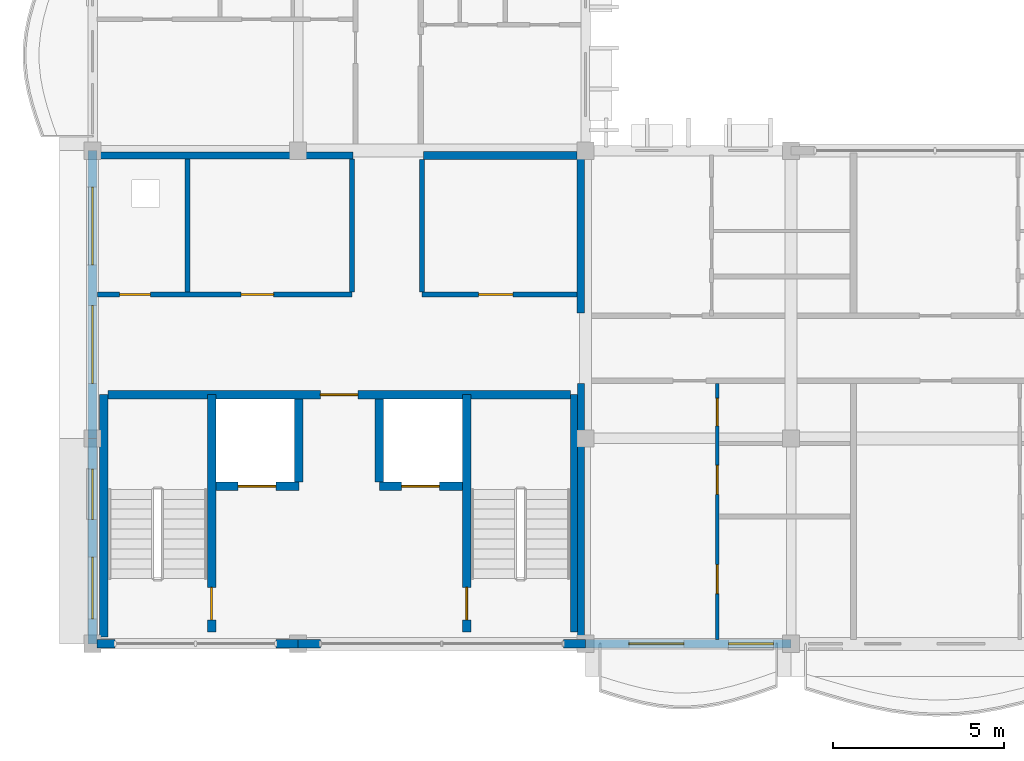
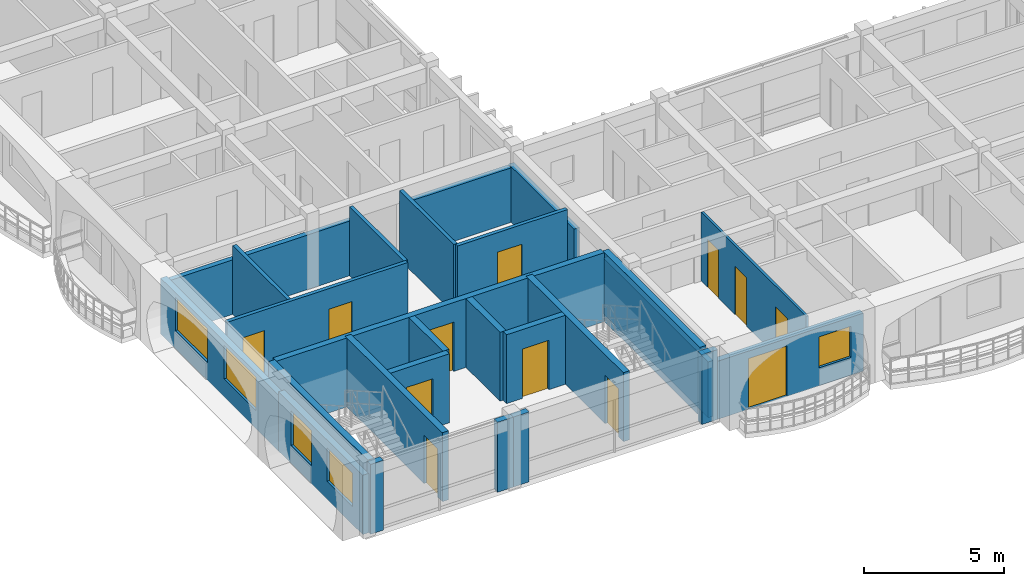
# One storey, part 20 of 54: 26 walls, 12 doors, 5 windows, 17 openings.
"""IFC4 building model written with IfcOpenShell, lengths in metres."""

from ifc_helpers import new_model, si_unit, direction, frame, frame_2d, origin, place, context, subcontext, project, spatial, rectangle, extrude, material, layer, layer_set, type_object, element, fill, save


model = new_model("IFC4")

# Units and contexts
model_context = context("Model", 3, precision=1e-05, world=origin(), true_north=direction((0.0, 1.0)))
body_context = subcontext(model_context, "Body", "Model", "MODEL_VIEW")
ifc_project = project(units=[si_unit("LENGTHUNIT", "METRE"), si_unit("AREAUNIT", "SQUARE_METRE"), si_unit("VOLUMEUNIT", "CUBIC_METRE"), si_unit("PLANEANGLEUNIT", "RADIAN"), si_unit("MASSUNIT", "GRAM", prefix="KILO"), si_unit("THERMODYNAMICTEMPERATUREUNIT", "KELVIN")], contexts=[model_context])

# Site, building, storey
site_placement = place(None, origin())
site = spatial("IfcSite", under=ifc_project, at=site_placement, CompositionType="ELEMENT")
building_placement = place(site_placement, origin())
building = spatial("IfcBuilding", under=site, at=building_placement, Name="Thalorik Housing Commons", CompositionType="ELEMENT")
storey_placement = place(building_placement, frame((0.0, 0.0, 31.199951171875)))
storey = spatial("IfcBuildingStorey", under=building, at=storey_placement, Name="L09", CompositionType="ELEMENT", Elevation=31.199951171875)

# Wall, opening, door
ifc_material_1 = material(Name="Concrete C40/50", Category="concrete")
ifc_layer_1 = layer(ifc_material_1, 0.25, Name="Concrete C40/50", Category="concrete")
ifc_layer_set_1 = layer_set([ifc_layer_1], Name="Concrete C40/50")
wall_type_1 = type_object("IfcWallType", Name="ARC-WAL-CORE-250", PredefinedType="SHEAR", material=ifc_layer_set_1)
wall_1_placement = place(storey_placement, frame((11.875, 8.75, 0.0), z_axis=(0.0, 0.0, 1.0), x_axis=(0.0, 1.0, 0.0)))
wall_1 = element("IfcWall", 1, at=wall_1_placement, inside=storey, type_object=wall_type_1, Name="L09 Core C Stair 1 Shear Wall", PredefinedType="SHEAR", context=body_context, shape_type="SweptSolid", body=[
    extrude(rectangle(XDim=6.925048828125, YDim=0.25, at=frame_2d((3.46240234375, 0.0))), origin(), (0.0, 0.0, 1.0), 3.0),
])
opening_1_placement = place(wall_1_placement, frame((0.35009765625, 0.0, 0.0)))
opening_1 = element("IfcOpeningElement", 2, at=opening_1_placement, cuts=wall_1, Name="Opening ID-0329", PredefinedType="OPENING", context=body_context, shape_type="SweptSolid", body=[
    extrude(rectangle(XDim=0.949951171875, YDim=2.10009765625, at=frame_2d((0.47509765625, 1.050048828125))), frame((0.0, 0.135009765625, 0.0), z_axis=(0.0, -1.0, 0.0), x_axis=(1.0, 0.0, 0.0)), (0.0, 0.0, 1.0), 0.27001953125),
])
ifc_material_2 = material(Name="Steel S355", Category="steel")
door_type_1 = type_object("IfcDoorType", Name="ARC-DR-FD60-950", OperationType="NOTDEFINED", PredefinedType="DOOR", material=ifc_material_2)
door_1_placement = place(opening_1_placement, origin())
door_1 = element("IfcDoor", 3, at=door_1_placement, inside=storey, type_object=door_type_1, Name="L09 Stair ST-C1 Fire Door", OperationType="SINGLE_SWING_RIGHT", OverallHeight=2.10009765625, OverallWidth=0.949951171875, PredefinedType="DOOR", context=body_context, shape_type="SweptSolid", body=[
    extrude(rectangle(XDim=0.949951171875, YDim=2.10009765625, at=frame_2d((0.47509765625, 1.050048828125))), frame((0.0, 0.02490234375, 0.0), z_axis=(0.0, -1.0, 0.0), x_axis=(1.0, 0.0, 0.0)), (0.0, 0.0, 1.0), 0.050048828125),
])
fill(opening_1, door_1)

# Walls
wall_2_placement = place(storey_placement, frame((8.72509765625, 8.60009765625, 0.0), z_axis=(0.0, 0.0, 1.0), x_axis=(0.0, 1.0, 0.0)))
element("IfcWall", 4, at=wall_2_placement, inside=storey, type_object=wall_type_1, Name="L09 Core C Stair 1 Outer Shear Wall", PredefinedType="SHEAR", context=body_context, shape_type="SweptSolid", body=[
    extrude(rectangle(XDim=7.074951171875, YDim=0.25, at=frame_2d((3.53759765625, 0.0))), origin(), (0.0, 0.0, 1.0), 3.0),
])
wall_3_placement = place(storey_placement, frame((22.47509765625, 8.75, 0.0), z_axis=(0.0, 0.0, 1.0), x_axis=(0.0, 1.0, 0.0)))
element("IfcWall", 5, at=wall_3_placement, inside=storey, type_object=wall_type_1, Name="L09 Core C Stair 2 Outer Shear Wall", PredefinedType="SHEAR", context=body_context, shape_type="SweptSolid", body=[
    extrude(rectangle(XDim=6.925048828125, YDim=0.25, at=frame_2d((3.46240234375, 0.0))), origin(), (0.0, 0.0, 1.0), 3.0),
])

# Wall, opening, door
wall_4_placement = place(storey_placement, frame((19.324951171875, 8.75, 0.0), z_axis=(0.0, 0.0, 1.0), x_axis=(0.0, 1.0, 0.0)))
wall_4 = element("IfcWall", 6, at=wall_4_placement, inside=storey, type_object=wall_type_1, Name="L09 Core C Stair 2 Shear Wall", PredefinedType="SHEAR", context=body_context, shape_type="SweptSolid", body=[
    extrude(rectangle(XDim=6.925048828125, YDim=0.25, at=frame_2d((3.46240234375, 0.0))), origin(), (0.0, 0.0, 1.0), 3.0),
])
opening_2_placement = place(wall_4_placement, frame((0.35009765625, 0.0, 0.0)))
opening_2 = element("IfcOpeningElement", 7, at=opening_2_placement, cuts=wall_4, Name="Opening ID-0330", PredefinedType="OPENING", context=body_context, shape_type="SweptSolid", body=[
    extrude(rectangle(XDim=0.949951171875, YDim=2.10009765625, at=frame_2d((0.47509765625, 1.050048828125))), frame((0.0, 0.135009765625, 0.0), z_axis=(0.0, -1.0, 0.0), x_axis=(1.0, 0.0, 0.0)), (0.0, 0.0, 1.0), 0.27001953125),
])
door_2_placement = place(opening_2_placement, origin())
door_2 = element("IfcDoor", 8, at=door_2_placement, inside=storey, type_object=door_type_1, Name="L09 Stair ST-C2 Fire Door", OperationType="SINGLE_SWING_LEFT", OverallHeight=2.10009765625, OverallWidth=0.949951171875, PredefinedType="DOOR", context=body_context, shape_type="SweptSolid", body=[
    extrude(rectangle(XDim=0.949951171875, YDim=2.10009765625, at=frame_2d((0.47509765625, 1.050048828125))), frame((0.0, 0.02490234375, 0.0), z_axis=(0.0, -1.0, 0.0), x_axis=(1.0, 0.0, 0.0)), (0.0, 0.0, 1.0), 0.050048828125),
])
fill(opening_2, door_2)

wall_5_placement = place(storey_placement, frame((12.0, 13.0, 0.0), z_axis=(0.0, 0.0, 1.0), x_axis=(1.0, 0.0, 0.0)))
wall_5 = element("IfcWall", 9, at=wall_5_placement, inside=storey, type_object=wall_type_1, Name="L09 Lift LF-C1 Front Shaft Wall", PredefinedType="SHEAR", context=body_context, shape_type="SweptSolid", body=[
    extrude(rectangle(XDim=2.425048828125, YDim=0.25, at=frame_2d((1.21240234375, 0.0))), origin(), (0.0, 0.0, 1.0), 3.0),
])
opening_3_placement = place(wall_5_placement, frame((0.64990234375, 0.0, 0.0)))
opening_3 = element("IfcOpeningElement", 10, at=opening_3_placement, cuts=wall_5, Name="Opening LD-LF-C1-L09", PredefinedType="OPENING", context=body_context, shape_type="SweptSolid", body=[
    extrude(rectangle(XDim=1.10009765625, YDim=2.14990234375, at=frame_2d((0.550048828125, 1.074951171875))), frame((0.0, 0.135009765625, 0.0), z_axis=(0.0, -1.0, 0.0), x_axis=(1.0, 0.0, 0.0)), (0.0, 0.0, 1.0), 0.27001953125),
])
door_type_2 = type_object("IfcDoorType", Name="ARC-DR-LIFT-1100", OperationType="NOTDEFINED", PredefinedType="DOOR", material=ifc_material_2)
door_3_placement = place(opening_3_placement, origin())
door_3 = element("IfcDoor", 11, at=door_3_placement, inside=storey, type_object=door_type_2, Name="L09 Lift LF-C1 Landing Door", OperationType="SLIDING_TO_LEFT", OverallHeight=2.14990234375, OverallWidth=1.10009765625, PredefinedType="DOOR", context=body_context, shape_type="SweptSolid", body=[
    extrude(rectangle(XDim=1.10009765625, YDim=2.14990234375, at=frame_2d((0.550048828125, 1.074951171875))), frame((0.0, 0.02490234375, 0.0), z_axis=(0.0, -1.0, 0.0), x_axis=(1.0, 0.0, 0.0)), (0.0, 0.0, 1.0), 0.050048828125),
])
fill(opening_3, door_3)

wall_6_placement = place(storey_placement, frame((16.77490234375, 13.0, 0.0), z_axis=(0.0, 0.0, 1.0), x_axis=(1.0, 0.0, 0.0)))
wall_6 = element("IfcWall", 12, at=wall_6_placement, inside=storey, type_object=wall_type_1, Name="L09 Lift LP-C2 Front Shaft Wall", PredefinedType="SHEAR", context=body_context, shape_type="SweptSolid", body=[
    extrude(rectangle(XDim=2.425048828125, YDim=0.25, at=frame_2d((1.21240234375, 0.0))), origin(), (0.0, 0.0, 1.0), 3.0),
])
opening_4_placement = place(wall_6_placement, frame((0.64990234375, 0.0, 0.0)))
opening_4 = element("IfcOpeningElement", 13, at=opening_4_placement, cuts=wall_6, Name="Opening LD-LP-C2-L09", PredefinedType="OPENING", context=body_context, shape_type="SweptSolid", body=[
    extrude(rectangle(XDim=1.10009765625, YDim=2.14990234375, at=frame_2d((0.550048828125, 1.074951171875))), frame((0.0, 0.135009765625, 0.0), z_axis=(0.0, -1.0, 0.0), x_axis=(1.0, 0.0, 0.0)), (0.0, 0.0, 1.0), 0.27001953125),
])
door_4_placement = place(opening_4_placement, origin())
door_4 = element("IfcDoor", 14, at=door_4_placement, inside=storey, type_object=door_type_2, Name="L09 Lift LP-C2 Landing Door", OperationType="SLIDING_TO_LEFT", OverallHeight=2.14990234375, OverallWidth=1.10009765625, PredefinedType="DOOR", context=body_context, shape_type="SweptSolid", body=[
    extrude(rectangle(XDim=1.10009765625, YDim=2.14990234375, at=frame_2d((0.550048828125, 1.074951171875))), frame((0.0, 0.02490234375, 0.0), z_axis=(0.0, -1.0, 0.0), x_axis=(1.0, 0.0, 0.0)), (0.0, 0.0, 1.0), 0.050048828125),
])
fill(opening_4, door_4)

# Walls
for number, where, z_axis, x_axis, name in (
    (15, (14.425048828125, 13.125, 0.0), (0.0, 0.0, 1.0), (0.0, 1.0, 0.0), "L09 Lift 1 Cheek Wall"),
    (16, (16.77490234375, 13.125, 0.0), (0.0, 0.0, 1.0), (0.0, 1.0, 0.0), "L09 Lift 2 Cheek Wall"),
):
    element("IfcWall", number, at=place(storey_placement, frame(where, z_axis=z_axis, x_axis=x_axis)), inside=storey, type_object=wall_type_1, Name=name, PredefinedType="SHEAR", context=body_context, shape_type="SweptSolid", body=[
        extrude(rectangle(XDim=2.425048828125, YDim=0.25, at=frame_2d((1.21240234375, 0.0))), origin(), (0.0, 0.0, 1.0), 3.0),
    ])

# Wall, opening, door
wall_7_placement = place(storey_placement, frame((8.85009765625, 15.675048828125, 0.0), z_axis=(0.0, 0.0, 1.0), x_axis=(1.0, 0.0, 0.0)))
wall_7 = element("IfcWall", 17, at=wall_7_placement, inside=storey, type_object=wall_type_1, Name="L09 Core C Spine Shear Wall", PredefinedType="SHEAR", context=body_context, shape_type="SweptSolid", body=[
    extrude(rectangle(XDim=13.5, YDim=0.25, at=frame_2d((6.75, 0.0))), origin(), (0.0, 0.0, 1.0), 3.0),
])
opening_5_placement = place(wall_7_placement, frame((6.199951171875, 0.0, 0.0)))
opening_5 = element("IfcOpeningElement", 18, at=opening_5_placement, cuts=wall_7, Name="Opening ID-0333", PredefinedType="OPENING", context=body_context, shape_type="SweptSolid", body=[
    extrude(rectangle(XDim=1.10009765625, YDim=2.14990234375, at=frame_2d((0.550048828125, 1.074951171875))), frame((0.0, 0.135009765625, 0.0), z_axis=(0.0, -1.0, 0.0), x_axis=(1.0, 0.0, 0.0)), (0.0, 0.0, 1.0), 0.27001953125),
])
door_type_3 = type_object("IfcDoorType", Name="ARC-DR-FD60-1100", OperationType="NOTDEFINED", PredefinedType="DOOR", material=ifc_material_2)
door_5_placement = place(opening_5_placement, origin())
door_5 = element("IfcDoor", 19, at=door_5_placement, inside=storey, type_object=door_type_3, Name="L09 Core C Lobby Fire Door", OperationType="SINGLE_SWING_RIGHT", OverallHeight=2.14990234375, OverallWidth=1.10009765625, PredefinedType="DOOR", context=body_context, shape_type="SweptSolid", body=[
    extrude(rectangle(XDim=1.10009765625, YDim=2.14990234375, at=frame_2d((0.550048828125, 1.074951171875))), frame((0.0, 0.02490234375, 0.0), z_axis=(0.0, -1.0, 0.0), x_axis=(1.0, 0.0, 0.0)), (0.0, 0.0, 1.0), 0.050048828125),
])
fill(opening_5, door_5)

# Wall, openings, windows
ifc_material_3 = material(Name="White precast concrete C40/50", Category="concrete")
ifc_layer_2 = layer(ifc_material_3, 0.2548828125, Name="White precast concrete C40/50", Category="concrete")
ifc_layer_set_2 = layer_set([ifc_layer_2], Name="White precast concrete C40/50")
wall_type_2 = type_object("IfcWallType", Name="ARC-WAL-EXT-255", PredefinedType="STANDARD", material=ifc_layer_set_2)
wall_8_placement = place(storey_placement, frame((8.39990234375, 22.800048828125, 0.0), z_axis=(0.0, 0.0, 1.0), x_axis=(0.0, -1.0, 0.0)))
wall_8 = element("IfcWall", 20, at=wall_8_placement, inside=storey, type_object=wall_type_2, Name="L09 Exterior Wall WAL-EXT-L09-C-1073", PredefinedType="STANDARD", context=body_context, shape_type="SweptSolid", body=[
    extrude(rectangle(XDim=8.400146484375, YDim=0.2548828125, at=frame_2d((4.2001953125, 0.0))), origin(), (0.0, 0.0, 1.0), 2.425048828125),
])
opening_6_placement = place(wall_8_placement, frame((1.054931640625, 0.0, 0.780029296875)))
opening_6 = element("IfcOpeningElement", 21, at=opening_6_placement, cuts=wall_8, Name="Opening W-67", PredefinedType="OPENING", context=body_context, shape_type="SweptSolid", body=[
    extrude(rectangle(XDim=2.280029296875, YDim=1.4599609375, at=frame_2d((1.14013671875, 0.72998046875))), frame((0.0, 0.137451171875, 0.0), z_axis=(0.0, -1.0, 0.0), x_axis=(1.0, 0.0, 0.0)), (0.0, 0.0, 1.0), 0.27490234375),
])
opening_7_placement = place(wall_8_placement, frame((4.5224609375, 0.0, 0.780029296875)))
opening_7 = element("IfcOpeningElement", 22, at=opening_7_placement, cuts=wall_8, Name="Opening W-67", PredefinedType="OPENING", context=body_context, shape_type="SweptSolid", body=[
    extrude(rectangle(XDim=2.280029296875, YDim=1.4599609375, at=frame_2d((1.14013671875, 0.72998046875))), frame((0.0, 0.137451171875, 0.0), z_axis=(0.0, -1.0, 0.0), x_axis=(1.0, 0.0, 0.0)), (0.0, 0.0, 1.0), 0.27490234375),
])
ifc_material_4 = material(Name="Anodised aluminium and solar-control low-E glass", Category="aluminium")
window_type_1 = type_object("IfcWindowType", Name="ARC-WIN-67", PartitioningType="DOUBLE_PANEL_VERTICAL", PredefinedType="WINDOW", material=ifc_material_4)
window_1_placement = place(opening_6_placement, origin())
window_1 = element("IfcWindow", 23, at=window_1_placement, inside=storey, type_object=window_type_1, Name="L09 Facade Window 1981", OverallHeight=1.4599609375, OverallWidth=2.280029296875, PartitioningType="DOUBLE_PANEL_VERTICAL", PredefinedType="WINDOW", context=body_context, shape_type="SweptSolid", body=[
    extrude(rectangle(XDim=2.280029296875, YDim=1.4599609375, at=frame_2d((1.14013671875, 0.72998046875))), frame((0.0, 0.030029296875, 0.0), z_axis=(0.0, -1.0, 0.0), x_axis=(1.0, 0.0, 0.0)), (0.0, 0.0, 1.0), 0.06005859375),
])
fill(opening_6, window_1)
window_2_placement = place(opening_7_placement, origin())
window_2 = element("IfcWindow", 24, at=window_2_placement, inside=storey, type_object=window_type_1, Name="L09 Facade Window 1982", OverallHeight=1.4599609375, OverallWidth=2.280029296875, PartitioningType="DOUBLE_PANEL_VERTICAL", PredefinedType="WINDOW", context=body_context, shape_type="SweptSolid", body=[
    extrude(rectangle(XDim=2.280029296875, YDim=1.4599609375, at=frame_2d((1.14013671875, 0.72998046875))), frame((0.0, 0.030029296875, 0.0), z_axis=(0.0, -1.0, 0.0), x_axis=(1.0, 0.0, 0.0)), (0.0, 0.0, 1.0), 0.06005859375),
])
fill(opening_7, window_2)

wall_9_placement = place(storey_placement, frame((8.39990234375, 14.39990234375, 0.0), z_axis=(0.0, 0.0, 1.0), x_axis=(0.0, -1.0, 0.0)))
wall_9 = element("IfcWall", 25, at=wall_9_placement, inside=storey, type_object=wall_type_2, Name="L09 Exterior Wall WAL-EXT-L09-C-1074", PredefinedType="STANDARD", context=body_context, shape_type="SweptSolid", body=[
    extrude(rectangle(XDim=6.0, YDim=0.2548828125, at=frame_2d((3.0, 0.0))), origin(), (0.0, 0.0, 1.0), 2.574951171875),
])
opening_8_placement = place(wall_9_placement, frame((0.889892578125, 0.0, 0.780029296875)))
opening_8 = element("IfcOpeningElement", 26, at=opening_8_placement, cuts=wall_9, Name="Opening W-51", PredefinedType="OPENING", context=body_context, shape_type="SweptSolid", body=[
    extrude(rectangle(XDim=1.47998046875, YDim=1.52001953125, at=frame_2d((0.739990234375, 0.760009765625))), frame((0.0, 0.137451171875, 0.0), z_axis=(0.0, -1.0, 0.0), x_axis=(1.0, 0.0, 0.0)), (0.0, 0.0, 1.0), 0.27490234375),
])
opening_9_placement = place(wall_9_placement, frame((3.4599609375, 0.0, 0.780029296875)))
opening_9 = element("IfcOpeningElement", 27, at=opening_9_placement, cuts=wall_9, Name="Opening W-58", PredefinedType="OPENING", context=body_context, shape_type="SweptSolid", body=[
    extrude(rectangle(XDim=1.820068359375, YDim=1.4599609375, at=frame_2d((0.91015625, 0.72998046875))), frame((0.0, 0.137451171875, 0.0), z_axis=(0.0, -1.0, 0.0), x_axis=(1.0, 0.0, 0.0)), (0.0, 0.0, 1.0), 0.27490234375),
])
window_type_2 = type_object("IfcWindowType", Name="ARC-WIN-51", PartitioningType="SINGLE_PANEL", PredefinedType="WINDOW", material=ifc_material_4)
window_3_placement = place(opening_8_placement, origin())
window_3 = element("IfcWindow", 28, at=window_3_placement, inside=storey, type_object=window_type_2, Name="L09 Facade Window 1983", OverallHeight=1.52001953125, OverallWidth=1.47998046875, PartitioningType="SINGLE_PANEL", PredefinedType="WINDOW", context=body_context, shape_type="SweptSolid", body=[
    extrude(rectangle(XDim=1.47998046875, YDim=1.52001953125, at=frame_2d((0.739990234375, 0.760009765625))), frame((0.0, 0.030029296875, 0.0), z_axis=(0.0, -1.0, 0.0), x_axis=(1.0, 0.0, 0.0)), (0.0, 0.0, 1.0), 0.06005859375),
])
fill(opening_8, window_3)
window_type_3 = type_object("IfcWindowType", Name="ARC-WIN-58", PartitioningType="DOUBLE_PANEL_VERTICAL", PredefinedType="WINDOW", material=ifc_material_4)
window_4_placement = place(opening_9_placement, origin())
window_4 = element("IfcWindow", 29, at=window_4_placement, inside=storey, type_object=window_type_3, Name="L09 Facade Window 1984", OverallHeight=1.4599609375, OverallWidth=1.820068359375, PartitioningType="DOUBLE_PANEL_VERTICAL", PredefinedType="WINDOW", context=body_context, shape_type="SweptSolid", body=[
    extrude(rectangle(XDim=1.820068359375, YDim=1.4599609375, at=frame_2d((0.91015625, 0.72998046875))), frame((0.0, 0.030029296875, 0.0), z_axis=(0.0, -1.0, 0.0), x_axis=(1.0, 0.0, 0.0)), (0.0, 0.0, 1.0), 0.06005859375),
])
fill(opening_9, window_4)

# Walls
wall_10_placement = place(storey_placement, frame((8.529541015625, 8.39990234375, 0.0), z_axis=(0.0, 0.0, 1.0), x_axis=(1.0, 0.0, 0.0)))
element("IfcWall", 30, at=wall_10_placement, inside=storey, type_object=wall_type_2, Name="L09 Exterior Wall WAL-PIERL-L09-C-1075", PredefinedType="STANDARD", context=body_context, shape_type="SweptSolid", body=[
    extrude(rectangle(XDim=0.5205078125, YDim=0.2548828125, at=frame_2d((0.26025390625, 0.0))), origin(), (0.0, 0.0, 1.0), 3.0400390625),
])
wall_11_placement = place(storey_placement, frame((13.75, 8.39990234375, 0.0), z_axis=(0.0, 0.0, 1.0), x_axis=(1.0, 0.0, 0.0)))
element("IfcWall", 31, at=wall_11_placement, inside=storey, type_object=wall_type_2, Name="L09 Exterior Wall WAL-PIERR-L09-C-1075", PredefinedType="STANDARD", context=body_context, shape_type="SweptSolid", body=[
    extrude(rectangle(XDim=0.64990234375, YDim=0.2548828125, at=frame_2d((0.324951171875, 0.0))), origin(), (0.0, 0.0, 1.0), 3.0400390625),
])
for number, where, z_axis, x_axis, name in (
    (32, (14.39990234375, 8.39990234375, 0.0), (0.0, 0.0, 1.0), (1.0, 0.0, 0.0), "L09 Exterior Wall WAL-PIERL-L09-C-1076"),
    (33, (22.14990234375, 8.39990234375, 0.0), (0.0, 0.0, 1.0), (1.0, 0.0, 0.0), "L09 Exterior Wall WAL-PIERR-L09-C-1076"),
):
    element("IfcWall", number, at=place(storey_placement, frame(where, z_axis=z_axis, x_axis=x_axis)), inside=storey, type_object=wall_type_2, Name=name, PredefinedType="STANDARD", context=body_context, shape_type="SweptSolid", body=[
        extrude(rectangle(XDim=0.650146484375, YDim=0.2548828125, at=frame_2d((0.3251953125, 0.0))), origin(), (0.0, 0.0, 1.0), 3.0400390625),
    ])

# Wall, openings, door, window
wall_12_placement = place(storey_placement, frame((22.800048828125, 8.39990234375, 0.0), z_axis=(0.0, 0.0, 1.0), x_axis=(1.0, 0.0, 0.0)))
wall_12 = element("IfcWall", 34, at=wall_12_placement, inside=storey, type_object=wall_type_2, Name="L09 Exterior Wall WAL-EXT-L09-C-1077", PredefinedType="STANDARD", context=body_context, shape_type="SweptSolid", body=[
    extrude(rectangle(XDim=6.0, YDim=0.2548828125, at=frame_2d((3.0, 0.0))), origin(), (0.0, 0.0, 1.0), 2.525146484375),
])
opening_10_placement = place(wall_12_placement, frame((1.264892578125, 0.0, 0.0)))
opening_10 = element("IfcOpeningElement", 35, at=opening_10_placement, cuts=wall_12, Name="Opening ED-0361", PredefinedType="OPENING", context=body_context, shape_type="SweptSolid", body=[
    extrude(rectangle(XDim=1.60009765625, YDim=2.199951171875, at=frame_2d((0.800048828125, 1.10009765625))), frame((0.0, 0.137451171875, 0.0), z_axis=(0.0, -1.0, 0.0), x_axis=(1.0, 0.0, 0.0)), (0.0, 0.0, 1.0), 0.27490234375),
])
opening_11_placement = place(wall_12_placement, frame((4.1650390625, 0.0, 0.780029296875)))
opening_11 = element("IfcOpeningElement", 36, at=opening_11_placement, cuts=wall_12, Name="Opening W-48", PredefinedType="OPENING", context=body_context, shape_type="SweptSolid", body=[
    extrude(rectangle(XDim=1.320068359375, YDim=1.35009765625, at=frame_2d((0.66015625, 0.675048828125))), frame((0.0, 0.137451171875, 0.0), z_axis=(0.0, -1.0, 0.0), x_axis=(1.0, 0.0, 0.0)), (0.0, 0.0, 1.0), 0.27490234375),
])
ifc_material_5 = material(Name="Anodised aluminium and laminated safety glass", Category="aluminium")
door_type_4 = type_object("IfcDoorType", Name="ARC-DR-BAL-1600", OperationType="NOTDEFINED", PredefinedType="DOOR", material=ifc_material_5)
door_6_placement = place(opening_10_placement, frame((1.60009765625, 0.0, 0.0), z_axis=(0.0, 0.0, 1.0), x_axis=(-1.0, 0.0, 0.0)))
door_6 = element("IfcDoor", 37, at=door_6_placement, inside=storey, type_object=door_type_4, Name="L09 Block C Balcony Glazed Door", OperationType="SLIDING_TO_LEFT", OverallHeight=2.199951171875, OverallWidth=1.60009765625, PredefinedType="DOOR", context=body_context, shape_type="SweptSolid", body=[
    extrude(rectangle(XDim=1.60009765625, YDim=2.199951171875, at=frame_2d((0.800048828125, 1.10009765625))), frame((0.0, 0.02490234375, 0.0), z_axis=(0.0, -1.0, 0.0), x_axis=(1.0, 0.0, 0.0)), (0.0, 0.0, 1.0), 0.050048828125),
])
fill(opening_10, door_6)
window_type_4 = type_object("IfcWindowType", Name="ARC-WIN-48", PartitioningType="SINGLE_PANEL", PredefinedType="WINDOW", material=ifc_material_4)
window_5_placement = place(opening_11_placement, origin())
window_5 = element("IfcWindow", 38, at=window_5_placement, inside=storey, type_object=window_type_4, Name="L09 Facade Window 1985", OverallHeight=1.35009765625, OverallWidth=1.320068359375, PartitioningType="SINGLE_PANEL", PredefinedType="WINDOW", context=body_context, shape_type="SweptSolid", body=[
    extrude(rectangle(XDim=1.320068359375, YDim=1.35009765625, at=frame_2d((0.66015625, 0.675048828125))), frame((0.0, 0.030029296875, 0.0), z_axis=(0.0, -1.0, 0.0), x_axis=(1.0, 0.0, 0.0)), (0.0, 0.0, 1.0), 0.06005859375),
])
fill(opening_11, window_5)

# Wall, openings, doors
ifc_material_6 = material(Name="Gypsum light stud partition", Category="masonry")
ifc_layer_3 = layer(ifc_material_6, 0.10009765625, Name="Gypsum light stud partition", Category="masonry")
ifc_layer_set_3 = layer_set([ifc_layer_3], Name="Gypsum light stud partition")
wall_type_3 = type_object("IfcWallType", Name="ARC-WAL-PART-100", PredefinedType="PARTITIONING", material=ifc_layer_set_3)
wall_13_placement = place(storey_placement, frame((26.639892578125, 8.529541015625, 0.0), z_axis=(0.0, 0.0, 1.0), x_axis=(0.0, 1.0, 0.0)))
wall_13 = element("IfcWall", 39, at=wall_13_placement, inside=storey, type_object=wall_type_3, Name="L09 Unit 1 Spine Partition", PredefinedType="PARTITIONING", context=body_context, shape_type="SweptSolid", body=[
    extrude(rectangle(XDim=7.473388671875, YDim=0.10009765625, at=frame_2d((3.73681640625, 0.0))), origin(), (0.0, 0.0, 1.0), 3.0),
])
opening_12_placement = place(wall_13_placement, frame((1.334228515625, 0.0, 0.0)))
opening_12 = element("IfcOpeningElement", 40, at=opening_12_placement, cuts=wall_13, Name="Opening ID-1938", PredefinedType="OPENING", context=body_context, shape_type="SweptSolid", body=[
    extrude(rectangle(XDim=0.85009765625, YDim=2.10009765625, at=frame_2d((0.425048828125, 1.050048828125))), frame((0.0, 0.06005859375, 0.0), z_axis=(0.0, -1.0, 0.0), x_axis=(1.0, 0.0, 0.0)), (0.0, 0.0, 1.0), 0.1201171875),
])
opening_13_placement = place(wall_13_placement, frame((4.22998046875, 0.0, 0.0)))
opening_13 = element("IfcOpeningElement", 41, at=opening_13_placement, cuts=wall_13, Name="Opening ID-1939", PredefinedType="OPENING", context=body_context, shape_type="SweptSolid", body=[
    extrude(rectangle(XDim=0.85009765625, YDim=2.10009765625, at=frame_2d((0.425048828125, 1.050048828125))), frame((0.0, 0.06005859375, 0.0), z_axis=(0.0, -1.0, 0.0), x_axis=(1.0, 0.0, 0.0)), (0.0, 0.0, 1.0), 0.1201171875),
])
opening_14_placement = place(wall_13_placement, frame((6.236083984375, 0.0, 0.0)))
opening_14 = element("IfcOpeningElement", 42, at=opening_14_placement, cuts=wall_13, Name="Opening ID-1940", PredefinedType="OPENING", context=body_context, shape_type="SweptSolid", body=[
    extrude(rectangle(XDim=0.800048828125, YDim=2.10009765625, at=frame_2d((0.39990234375, 1.050048828125))), frame((0.0, 0.06005859375, 0.0), z_axis=(0.0, -1.0, 0.0), x_axis=(1.0, 0.0, 0.0)), (0.0, 0.0, 1.0), 0.1201171875),
])
ifc_material_7 = material(Name="Moisture-resistant timber", Category="wood")
door_type_5 = type_object("IfcDoorType", Name="ARC-DR-INT-800", OperationType="NOTDEFINED", PredefinedType="DOOR", material=ifc_material_7)
door_7_placement = place(opening_14_placement, origin())
door_7 = element("IfcDoor", 43, at=door_7_placement, inside=storey, type_object=door_type_5, Name="L09 Accessible Bathroom Door", OperationType="SINGLE_SWING_LEFT", OverallHeight=2.10009765625, OverallWidth=0.800048828125, PredefinedType="DOOR", context=body_context, shape_type="SweptSolid", body=[
    extrude(rectangle(XDim=0.800048828125, YDim=2.10009765625, at=frame_2d((0.39990234375, 1.050048828125))), frame((0.0, 0.02490234375, 0.0), z_axis=(0.0, -1.0, 0.0), x_axis=(1.0, 0.0, 0.0)), (0.0, 0.0, 1.0), 0.050048828125),
])
fill(opening_14, door_7)
ifc_material_8 = material(Name="Engineered oak timber", Category="wood")
door_type_6 = type_object("IfcDoorType", Name="ARC-DR-INT-850", OperationType="NOTDEFINED", PredefinedType="DOOR", material=ifc_material_8)
door_8_placement = place(opening_12_placement, origin())
door_8 = element("IfcDoor", 44, at=door_8_placement, inside=storey, type_object=door_type_6, Name="L09 Master Bedroom Door", OperationType="SINGLE_SWING_LEFT", OverallHeight=2.10009765625, OverallWidth=0.85009765625, PredefinedType="DOOR", context=body_context, shape_type="SweptSolid", body=[
    extrude(rectangle(XDim=0.85009765625, YDim=2.10009765625, at=frame_2d((0.425048828125, 1.050048828125))), frame((0.0, 0.02490234375, 0.0), z_axis=(0.0, -1.0, 0.0), x_axis=(1.0, 0.0, 0.0)), (0.0, 0.0, 1.0), 0.050048828125),
])
fill(opening_12, door_8)
door_9_placement = place(opening_13_placement, origin())
door_9 = element("IfcDoor", 45, at=door_9_placement, inside=storey, type_object=door_type_6, Name="L09 Eat-In Kitchen Door", OperationType="SINGLE_SWING_RIGHT", OverallHeight=2.10009765625, OverallWidth=0.85009765625, PredefinedType="DOOR", context=body_context, shape_type="SweptSolid", body=[
    extrude(rectangle(XDim=0.85009765625, YDim=2.10009765625, at=frame_2d((0.425048828125, 1.050048828125))), frame((0.0, 0.02490234375, 0.0), z_axis=(0.0, -1.0, 0.0), x_axis=(1.0, 0.0, 0.0)), (0.0, 0.0, 1.0), 0.050048828125),
])
fill(opening_13, door_9)

# Walls
ifc_material_9 = material(Name="Ceramic masonry partition wall", Category="masonry")
ifc_layer_4 = layer(ifc_material_9, 0.14794921875, Name="Ceramic masonry partition wall", Category="masonry")
ifc_layer_set_4 = layer_set([ifc_layer_4], Name="Ceramic masonry partition wall")
wall_type_4 = type_object("IfcWallType", Name="ARC-WAL-PART-150", PredefinedType="PARTITIONING", material=ifc_layer_set_4)
for number, where, z_axis, x_axis, name in (
    (46, (11.175048828125, 18.676025390625, 0.0), (0.0, 0.0, 1.0), (0.0, 1.0, 0.0), "Riser Wall"),
    (47, (15.97509765625, 18.676025390625, 0.0), (0.0, 0.0, 1.0), (0.0, 1.0, 0.0), "Core Stem West Cheek Wall"),
):
    element("IfcWall", number, at=place(storey_placement, frame(where, z_axis=z_axis, x_axis=x_axis)), inside=storey, type_object=wall_type_4, Name=name, PredefinedType="PARTITIONING", context=body_context, shape_type="SweptSolid", body=[
        extrude(rectangle(XDim=3.882080078125, YDim=0.14794921875, at=frame_2d((1.94091796875, 0.0))), origin(), (0.0, 0.0, 1.0), 3.0),
    ])
wall_14_placement = place(storey_placement, frame((18.02490234375, 18.676025390625, 0.0), z_axis=(0.0, 0.0, 1.0), x_axis=(0.0, 1.0, 0.0)))
element("IfcWall", 48, at=wall_14_placement, inside=storey, type_object=wall_type_4, Name="Core Stem East Cheek Wall", PredefinedType="PARTITIONING", context=body_context, shape_type="SweptSolid", body=[
    extrude(rectangle(XDim=3.8720703125, YDim=0.14794921875, at=frame_2d((1.93603515625, 0.0))), origin(), (0.0, 0.0, 1.0), 3.0),
])

# Wall, openings, doors
wall_15_placement = place(storey_placement, frame((8.5400390625, 18.60009765625, 0.0), z_axis=(0.0, 0.0, 1.0), x_axis=(1.0, 0.0, 0.0)))
wall_15 = element("IfcWall", 49, at=wall_15_placement, inside=storey, type_object=wall_type_4, Name="L09 Core C West Corridor Partition", PredefinedType="PARTITIONING", context=body_context, shape_type="SweptSolid", body=[
    extrude(rectangle(XDim=7.43505859375, YDim=0.14794921875, at=frame_2d((3.717529296875, 0.0))), origin(), (0.0, 0.0, 1.0), 3.0),
])
opening_15_placement = place(wall_15_placement, frame((0.64990234375, 0.0, 0.0)))
opening_15 = element("IfcOpeningElement", 50, at=opening_15_placement, cuts=wall_15, Name="Opening ID-0334", PredefinedType="OPENING", context=body_context, shape_type="SweptSolid", body=[
    extrude(rectangle(XDim=0.89990234375, YDim=2.10009765625, at=frame_2d((0.449951171875, 1.050048828125))), frame((0.0, 0.083984375, 0.0), z_axis=(0.0, -1.0, 0.0), x_axis=(1.0, 0.0, 0.0)), (0.0, 0.0, 1.0), 0.16796875),
])
opening_16_placement = place(wall_15_placement, frame((4.199951171875, 0.0, 0.0)))
opening_16 = element("IfcOpeningElement", 51, at=opening_16_placement, cuts=wall_15, Name="Opening ID-0335", PredefinedType="OPENING", context=body_context, shape_type="SweptSolid", body=[
    extrude(rectangle(XDim=0.949951171875, YDim=2.10009765625, at=frame_2d((0.47509765625, 1.050048828125))), frame((0.0, 0.083984375, 0.0), z_axis=(0.0, -1.0, 0.0), x_axis=(1.0, 0.0, 0.0)), (0.0, 0.0, 1.0), 0.16796875),
])
door_type_7 = type_object("IfcDoorType", Name="ARC-DR-FD60-900", OperationType="NOTDEFINED", PredefinedType="DOOR", material=ifc_material_2)
door_10_placement = place(opening_15_placement, origin())
door_10 = element("IfcDoor", 52, at=door_10_placement, inside=storey, type_object=door_type_7, Name="Electrical Riser Door", OperationType="SINGLE_SWING_LEFT", OverallHeight=2.10009765625, OverallWidth=0.89990234375, PredefinedType="DOOR", context=body_context, shape_type="SweptSolid", body=[
    extrude(rectangle(XDim=0.89990234375, YDim=2.10009765625, at=frame_2d((0.449951171875, 1.050048828125))), frame((0.0, 0.02490234375, 0.0), z_axis=(0.0, -1.0, 0.0), x_axis=(1.0, 0.0, 0.0)), (0.0, 0.0, 1.0), 0.050048828125),
])
fill(opening_15, door_10)
door_type_8 = type_object("IfcDoorType", Name="ARC-DR-INT-950", OperationType="NOTDEFINED", PredefinedType="DOOR", material=ifc_material_8)
door_11_placement = place(opening_16_placement, origin())
door_11 = element("IfcDoor", 53, at=door_11_placement, inside=storey, type_object=door_type_8, Name="Accessible Bathroom Door", OperationType="SINGLE_SWING_RIGHT", OverallHeight=2.10009765625, OverallWidth=0.949951171875, PredefinedType="DOOR", context=body_context, shape_type="SweptSolid", body=[
    extrude(rectangle(XDim=0.949951171875, YDim=2.10009765625, at=frame_2d((0.47509765625, 1.050048828125))), frame((0.0, 0.02490234375, 0.0), z_axis=(0.0, -1.0, 0.0), x_axis=(1.0, 0.0, 0.0)), (0.0, 0.0, 1.0), 0.050048828125),
])
fill(opening_16, door_11)

# Wall, opening, door
wall_16_placement = place(storey_placement, frame((18.02490234375, 18.60009765625, 0.0), z_axis=(0.0, 0.0, 1.0), x_axis=(1.0, 0.0, 0.0)))
wall_16 = element("IfcWall", 54, at=wall_16_placement, inside=storey, type_object=wall_type_4, Name="L09 Core C East Corridor Partition", PredefinedType="PARTITIONING", context=body_context, shape_type="SweptSolid", body=[
    extrude(rectangle(XDim=4.523193359375, YDim=0.14794921875, at=frame_2d((2.26171875, 0.0))), origin(), (0.0, 0.0, 1.0), 3.0),
])
opening_17_placement = place(wall_16_placement, frame((1.64990234375, 0.0, 0.0)))
opening_17 = element("IfcOpeningElement", 55, at=opening_17_placement, cuts=wall_16, Name="Opening ID-0336", PredefinedType="OPENING", context=body_context, shape_type="SweptSolid", body=[
    extrude(rectangle(XDim=1.0, YDim=2.14990234375, at=frame_2d((0.5, 1.074951171875))), frame((0.0, 0.083984375, 0.0), z_axis=(0.0, -1.0, 0.0), x_axis=(1.0, 0.0, 0.0)), (0.0, 0.0, 1.0), 0.16796875),
])
door_type_9 = type_object("IfcDoorType", Name="ARC-DR-FD60-1000", OperationType="NOTDEFINED", PredefinedType="DOOR", material=ifc_material_2)
door_12_placement = place(opening_17_placement, origin())
door_12 = element("IfcDoor", 56, at=door_12_placement, inside=storey, type_object=door_type_9, Name="Core Hub Room Door", OperationType="SINGLE_SWING_LEFT", OverallHeight=2.14990234375, OverallWidth=1.0, PredefinedType="DOOR", context=body_context, shape_type="SweptSolid", body=[
    extrude(rectangle(XDim=1.0, YDim=2.14990234375, at=frame_2d((0.5, 1.074951171875))), frame((0.0, 0.02490234375, 0.0), z_axis=(0.0, -1.0, 0.0), x_axis=(1.0, 0.0, 0.0)), (0.0, 0.0, 1.0), 0.050048828125),
])
fill(opening_17, door_12)

# Walls
ifc_material_10 = material(Name="Precast concrete C40/50 acoustic wall", Category="concrete")
ifc_layer_5 = layer(ifc_material_10, 0.199951171875, Name="Precast concrete C40/50 acoustic wall", Category="concrete")
ifc_layer_set_5 = layer_set([ifc_layer_5], Name="Precast concrete C40/50 acoustic wall")
wall_type_5 = type_object("IfcWallType", Name="ARC-WAL-PARTY-200", PredefinedType="PARTITIONING", material=ifc_layer_set_5)
wall_17_placement = place(storey_placement, frame((8.529541015625, 22.659912109375, 0.0), z_axis=(0.0, 0.0, 1.0), x_axis=(1.0, 0.0, 0.0)))
element("IfcWall", 57, at=wall_17_placement, inside=storey, type_object=wall_type_5, Name="L09 Inter-Tenancy Wall 0A", PredefinedType="PARTITIONING", context=body_context, shape_type="SweptSolid", body=[
    extrude(rectangle(XDim=7.473388671875, YDim=0.199951171875, at=frame_2d((3.73681640625, 0.0))), origin(), (0.0, 0.0, 1.0), 2.375),
])
wall_18_placement = place(storey_placement, frame((22.659912109375, 8.529541015625, 0.0), z_axis=(0.0, 0.0, 1.0), x_axis=(0.0, 1.0, 0.0)))
element("IfcWall", 58, at=wall_18_placement, inside=storey, type_object=wall_type_5, Name="L09 Inter-Tenancy Wall 0A", PredefinedType="PARTITIONING", context=body_context, shape_type="SweptSolid", body=[
    extrude(rectangle(XDim=7.473388671875, YDim=0.199951171875, at=frame_2d((3.73681640625, 0.0))), origin(), (0.0, 0.0, 1.0), 2.425048828125),
])
ifc_layer_6 = layer(ifc_material_10, 0.219970703125, Name="Precast concrete C40/50 acoustic wall", Category="concrete")
ifc_layer_set_6 = layer_set([ifc_layer_6], Name="Precast concrete C40/50 acoustic wall")
wall_type_6 = type_object("IfcWallType", Name="ARC-WAL-PARTY-220", PredefinedType="PARTITIONING", material=ifc_layer_set_6)
wall_19_placement = place(storey_placement, frame((18.064453125, 22.659912109375, 0.0), z_axis=(0.0, 0.0, 1.0), x_axis=(1.0, 0.0, 0.0)))
element("IfcWall", 59, at=wall_19_placement, inside=storey, type_object=wall_type_6, Name="L09 Inter-Tenancy Wall 0B", PredefinedType="PARTITIONING", context=body_context, shape_type="SweptSolid", body=[
    extrude(rectangle(XDim=4.483642578125, YDim=0.219970703125, at=frame_2d((2.24169921875, 0.0))), origin(), (0.0, 0.0, 1.0), 2.375),
])
wall_20_placement = place(storey_placement, frame((22.659912109375, 18.064453125, 0.0), z_axis=(0.0, 0.0, 1.0), x_axis=(0.0, 1.0, 0.0)))
element("IfcWall", 60, at=wall_20_placement, inside=storey, type_object=wall_type_6, Name="L09 Inter-Tenancy Wall 0B", PredefinedType="PARTITIONING", context=body_context, shape_type="SweptSolid", body=[
    extrude(rectangle(XDim=4.675537109375, YDim=0.219970703125, at=frame_2d((2.337890625, 0.0))), origin(), (0.0, 0.0, 1.0), 2.425048828125),
])

save(model, "model.ifc")
